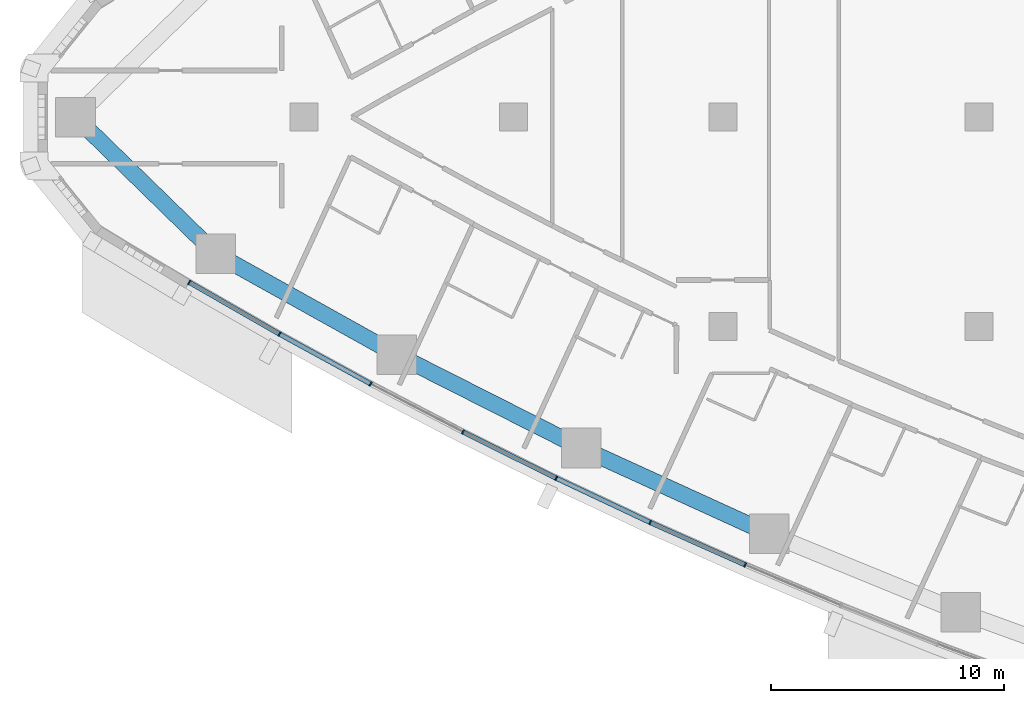
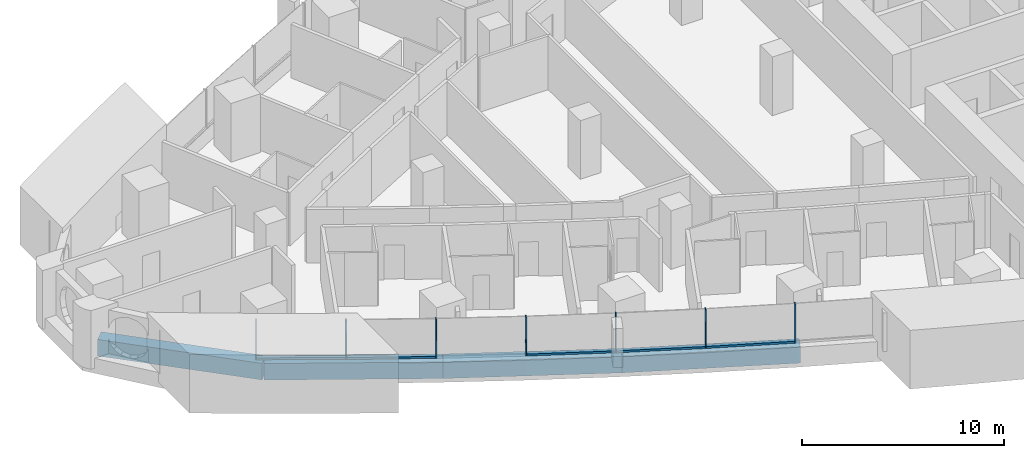
# One storey, part 2 of 17: 12 members, 4 beams, 3 elements without a shape of their own.
"""IFC4 building model written with IfcOpenShell, lengths in metres."""

from ifc_helpers import new_model, si_unit, direction, frame, origin, origin_2d, place, context, subcontext, project, spatial, rectangle, extrude, material, layer, layer_set, material_profile, profile_set, type_object, element, aggregate, save


model = new_model("IFC4")

# Units and contexts
model_context = context("Model", 3, precision=1e-05, world=origin(), true_north=direction((0.0, 1.0)))
body_context = subcontext(model_context, "Body", "Model", "MODEL_VIEW")
ifc_project = project(units=[si_unit("LENGTHUNIT", "METRE"), si_unit("AREAUNIT", "SQUARE_METRE"), si_unit("VOLUMEUNIT", "CUBIC_METRE"), si_unit("PLANEANGLEUNIT", "RADIAN"), si_unit("MASSUNIT", "GRAM", prefix="KILO")], contexts=[model_context])

# Site, building, storey
site_placement = place(None, origin())
site = spatial("IfcSite", under=ifc_project, at=site_placement, CompositionType="ELEMENT")
building_placement = place(site_placement, origin())
building = spatial("IfcBuilding", under=site, at=building_placement, Name="Ostrand Prow Hotel Tower", CompositionType="ELEMENT")
storey_placement = place(building_placement, frame((0.0, 0.0, 109.75)))
storey = spatial("IfcBuildingStorey", under=building, at=storey_placement, Name="L26", CompositionType="ELEMENT", Elevation=109.75)

# Beams
ifc_material_1 = material(Name="Concrete C80/95", Category="concrete")
ifc_material_profile_1 = material_profile(ifc_material_1, rectangle(XDim=0.699951171875, YDim=1.0, at=origin_2d()), Name="RC 700x1000")
ifc_profile_set_1 = profile_set([ifc_material_profile_1], Name="Concrete C80/95")
beam_type = type_object("IfcBeamType", Name="Edge beam 700x1000 C80/95", PredefinedType="SPANDREL", material=ifc_profile_set_1)
beam_1_placement = place(storey_placement, frame((6.193115234375, 0.0, -0.800048828125), z_axis=(0.716082759826, -0.698015387423, 0.0), x_axis=(0.698015387423, 0.716082759826, 0.0)))
element("IfcBeam", 1, at=beam_1_placement, inside=storey, type_object=beam_type, Name="Edge beam P-S1", PredefinedType="SPANDREL", context=body_context, shape_type="SweptSolid", body=[
    extrude(rectangle(XDim=0.699951171875, YDim=1.0, at=origin_2d()), origin(), (0.0, 0.0, 1.0), 8.41845703125),
])
beam_2_placement = place(storey_placement, frame((12.221435546875, -5.876220703125, -0.800048828125), z_axis=(0.873452439955, -0.486909473245, 0.0), x_axis=(0.486909473245, 0.873452439955, 0.0)))
element("IfcBeam", 2, at=beam_2_placement, inside=storey, type_object=beam_type, Name="Edge beam S1-S2", PredefinedType="SPANDREL", context=body_context, shape_type="SweptSolid", body=[
    extrude(rectangle(XDim=0.699951171875, YDim=1.0, at=origin_2d()), origin(), (0.0, 0.0, 1.0), 8.883544921875),
])
beam_3_placement = place(storey_placement, frame((19.980712890625, -10.20166015625, -0.800048828125), z_axis=(0.892284288592, -0.451473973039, 0.0), x_axis=(0.451473973039, 0.892284288592, 0.0)))
element("IfcBeam", 3, at=beam_3_placement, inside=storey, type_object=beam_type, Name="Edge beam S2-S3", PredefinedType="SPANDREL", context=body_context, shape_type="SweptSolid", body=[
    extrude(rectangle(XDim=0.699951171875, YDim=1.0, at=origin_2d()), origin(), (0.0, 0.0, 1.0), 8.883056640625),
])
beam_4_placement = place(storey_placement, frame((27.906982421875, -14.212158203125, -0.800048828125), z_axis=(0.909681006953, -0.415307675813, 0.0), x_axis=(0.415307675813, 0.909681006953, 0.0)))
element("IfcBeam", 4, at=beam_4_placement, inside=storey, type_object=beam_type, Name="Edge beam S3-S4", PredefinedType="SPANDREL", context=body_context, shape_type="SweptSolid", body=[
    extrude(rectangle(XDim=0.699951171875, YDim=1.0, at=origin_2d()), origin(), (0.0, 0.0, 1.0), 8.883544921875),
])

# Curtain wall, members
ifc_material_2 = material(Name="Insulated glass in bronze anodised frame", Category="glass")
ifc_layer = layer(ifc_material_2, 0.199951171875)
ifc_layer_set = layer_set([ifc_layer], Name="Insulated glass in bronze anodised frame")
curtain_wall_type = type_object("IfcCurtainWallType", Name="Strip curtain wall, fritted glass over bronze spandrel", PredefinedType="NOTDEFINED", material=ifc_layer_set)
curtain_wall_1_placement = place(storey_placement, origin())
curtain_wall_1 = element("IfcCurtainWall", 5, at=curtain_wall_1_placement, inside=storey, type_object=curtain_wall_type, Name="CW1 run CWS1", PredefinedType="NOTDEFINED")
ifc_material_3 = material(Name="Bronze anodised aluminium", Category="aluminium")
ifc_material_profile_2 = material_profile(ifc_material_3, rectangle(XDim=0.199951171875, YDim=0.06005859375, at=origin_2d()), Name="Mullion 60x200 bronze anodised aluminium")
ifc_profile_set_2 = profile_set([ifc_material_profile_2], Name="Bronze anodised aluminium")
member_type_1 = type_object("IfcMemberType", Name="Mullion 60x200 bronze anodised aluminium", PredefinedType="MULLION", material=ifc_profile_set_2)
member_1_placement = place(storey_placement, frame((11.076416015625, -7.099853515625, 0.89990234375), z_axis=(0.0, 0.0, 1.0), x_axis=(0.497114806368, 0.867684775301, 0.0)))
member_1 = element("IfcMember", 6, at=member_1_placement, type_object=member_type_1, Name="CW1 mullion 1", PredefinedType="MULLION", context=body_context, shape_type="SweptSolid", body=[
    extrude(rectangle(XDim=0.199951171875, YDim=0.06005859375, at=origin_2d()), origin(), (0.0, 0.0, 1.0), 2.35009765625),
])
member_2_placement = place(storey_placement, frame((14.951416015625, -9.320068359375, 0.89990234375), z_axis=(0.0, 0.0, 1.0), x_axis=(0.479637052103, 0.877466978439, 0.0)))
member_2 = element("IfcMember", 7, at=member_2_placement, type_object=member_type_1, Name="CW1 mullion 2", PredefinedType="MULLION", context=body_context, shape_type="SweptSolid", body=[
    extrude(rectangle(XDim=0.199951171875, YDim=0.06005859375, at=origin_2d()), origin(), (0.0, 0.0, 1.0), 2.35009765625),
])
member_3_placement = place(storey_placement, frame((18.870361328125, -11.4619140625, 0.89990234375), z_axis=(0.0, 0.0, 1.0), x_axis=(0.479637052103, 0.877466978439, 0.0)))
member_3 = element("IfcMember", 8, at=member_3_placement, type_object=member_type_1, Name="CW1 mullion 3", PredefinedType="MULLION", context=body_context, shape_type="SweptSolid", body=[
    extrude(rectangle(XDim=0.199951171875, YDim=0.06005859375, at=origin_2d()), origin(), (0.0, 0.0, 1.0), 2.35009765625),
])

curtain_wall_2_placement = place(storey_placement, origin())
curtain_wall_2 = element("IfcCurtainWall", 9, at=curtain_wall_2_placement, inside=storey, type_object=curtain_wall_type, Name="CW1 run CWS2", PredefinedType="NOTDEFINED")
member_4_placement = place(storey_placement, frame((22.831298828125, -13.525146484375, 0.89990234375), z_axis=(0.0, 0.0, 1.0), x_axis=(0.44411295748, 0.895970803653, 0.0)))
member_4 = element("IfcMember", 10, at=member_4_placement, type_object=member_type_1, Name="CW1 mullion 2", PredefinedType="MULLION", context=body_context, shape_type="SweptSolid", body=[
    extrude(rectangle(XDim=0.199951171875, YDim=0.06005859375, at=origin_2d()), origin(), (0.0, 0.0, 1.0), 2.35009765625),
])
member_5_placement = place(storey_placement, frame((26.83251953125, -15.508544921875, 0.89990234375), z_axis=(0.0, 0.0, 1.0), x_axis=(0.44411295748, 0.895970803653, 0.0)))
member_5 = element("IfcMember", 11, at=member_5_placement, type_object=member_type_1, Name="CW1 mullion 3", PredefinedType="MULLION", context=body_context, shape_type="SweptSolid", body=[
    extrude(rectangle(XDim=0.199951171875, YDim=0.06005859375, at=origin_2d()), origin(), (0.0, 0.0, 1.0), 2.35009765625),
])

curtain_wall_3_placement = place(storey_placement, origin())
curtain_wall_3 = element("IfcCurtainWall", 12, at=curtain_wall_3_placement, inside=storey, type_object=curtain_wall_type, Name="CW1 run CWS3", PredefinedType="NOTDEFINED")
member_6_placement = place(storey_placement, frame((30.872802734375, -17.41162109375, 0.89990234375), z_axis=(0.0, 0.0, 1.0), x_axis=(0.407874755419, 0.913037887435, 0.0)))
member_6 = element("IfcMember", 13, at=member_6_placement, type_object=member_type_1, Name="CW1 mullion 2", PredefinedType="MULLION", context=body_context, shape_type="SweptSolid", body=[
    extrude(rectangle(XDim=0.199951171875, YDim=0.06005859375, at=origin_2d()), origin(), (0.0, 0.0, 1.0), 2.35009765625),
])
member_7_placement = place(storey_placement, frame((34.95068359375, -19.233154296875, 0.89990234375), z_axis=(0.0, 0.0, 1.0), x_axis=(0.407874755419, 0.913037887435, 0.0)))
member_7 = element("IfcMember", 14, at=member_7_placement, type_object=member_type_1, Name="CW1 mullion 3", PredefinedType="MULLION", context=body_context, shape_type="SweptSolid", body=[
    extrude(rectangle(XDim=0.199951171875, YDim=0.06005859375, at=origin_2d()), origin(), (0.0, 0.0, 1.0), 2.35009765625),
])

# Member
ifc_material_4 = material(Name="Bronze anodised aluminium", Category="aluminium")
ifc_material_profile_3 = material_profile(ifc_material_4, rectangle(XDim=0.199951171875, YDim=0.1201171875, at=origin_2d()), Name="Transom 120x200 bronze anodised aluminium")
ifc_profile_set_3 = profile_set([ifc_material_profile_3], Name="Bronze anodised aluminium")
member_type_2 = type_object("IfcMemberType", Name="Transom 120x200 bronze anodised aluminium", PredefinedType="USERDEFINED", material=ifc_profile_set_3)
member_8_placement = place(storey_placement, frame((11.1025390625, -7.11474609375, 0.9599609375), z_axis=(0.86766970623, -0.497141107625, 0.0), x_axis=(0.497141107625, 0.86766970623, 0.0)))
member_8 = element("IfcMember", 15, at=member_8_placement, type_object=member_type_2, Name="CW1 transom 1.1", ObjectType="TRANSOM", PredefinedType="USERDEFINED", context=body_context, shape_type="SweptSolid", body=[
    extrude(rectangle(XDim=0.199951171875, YDim=0.1201171875, at=origin_2d()), origin(), (0.0, 0.0, 1.0), 4.406005859375),
])

member_9_placement = place(storey_placement, frame((14.977783203125, -9.33447265625, 0.9599609375), z_axis=(0.877471714137, -0.479628388328, 0.0), x_axis=(0.479628388328, 0.877471714137, 0.0)))
member_9 = element("IfcMember", 16, at=member_9_placement, type_object=member_type_2, Name="CW1 transom 2.1", ObjectType="TRANSOM", PredefinedType="USERDEFINED", context=body_context, shape_type="SweptSolid", body=[
    extrude(rectangle(XDim=0.199951171875, YDim=0.1201171875, at=origin_2d()), origin(), (0.0, 0.0, 1.0), 4.406005859375),
])

aggregate(curtain_wall_1, [member_1, member_2, member_3, member_8, member_9])

member_10_placement = place(storey_placement, frame((22.858154296875, -13.53857421875, 0.9599609375), z_axis=(0.895962348168, -0.444130015497, 0.0), x_axis=(0.444130015497, 0.895962348168, 0.0)))
member_10 = element("IfcMember", 17, at=member_10_placement, type_object=member_type_2, Name="CW1 transom 2.1", ObjectType="TRANSOM", PredefinedType="USERDEFINED", context=body_context, shape_type="SweptSolid", body=[
    extrude(rectangle(XDim=0.199951171875, YDim=0.1201171875, at=origin_2d()), origin(), (0.0, 0.0, 1.0), 4.406005859375),
])

aggregate(curtain_wall_2, [member_4, member_5, member_10])

member_11_placement = place(storey_placement, frame((26.859619140625, -15.521484375, 0.9599609375), z_axis=(0.904696854963, -0.42605586561, 0.0), x_axis=(0.42605586561, 0.904696854963, 0.0)))
member_11 = element("IfcMember", 18, at=member_11_placement, type_object=member_type_2, Name="CW1 transom 1.1", ObjectType="TRANSOM", PredefinedType="USERDEFINED", context=body_context, shape_type="SweptSolid", body=[
    extrude(rectangle(XDim=0.199951171875, YDim=0.1201171875, at=origin_2d()), origin(), (0.0, 0.0, 1.0), 4.406005859375),
])

member_12_placement = place(storey_placement, frame((30.900390625, -17.423583984375, 0.9599609375), z_axis=(0.913030665163, -0.407890922271, 0.0), x_axis=(0.407890922271, 0.913030665163, 0.0)))
member_12 = element("IfcMember", 19, at=member_12_placement, type_object=member_type_2, Name="CW1 transom 2.1", ObjectType="TRANSOM", PredefinedType="USERDEFINED", context=body_context, shape_type="SweptSolid", body=[
    extrude(rectangle(XDim=0.199951171875, YDim=0.1201171875, at=origin_2d()), origin(), (0.0, 0.0, 1.0), 4.40576171875),
])

aggregate(curtain_wall_3, [member_6, member_7, member_11, member_12])

save(model, "model.ifc")
